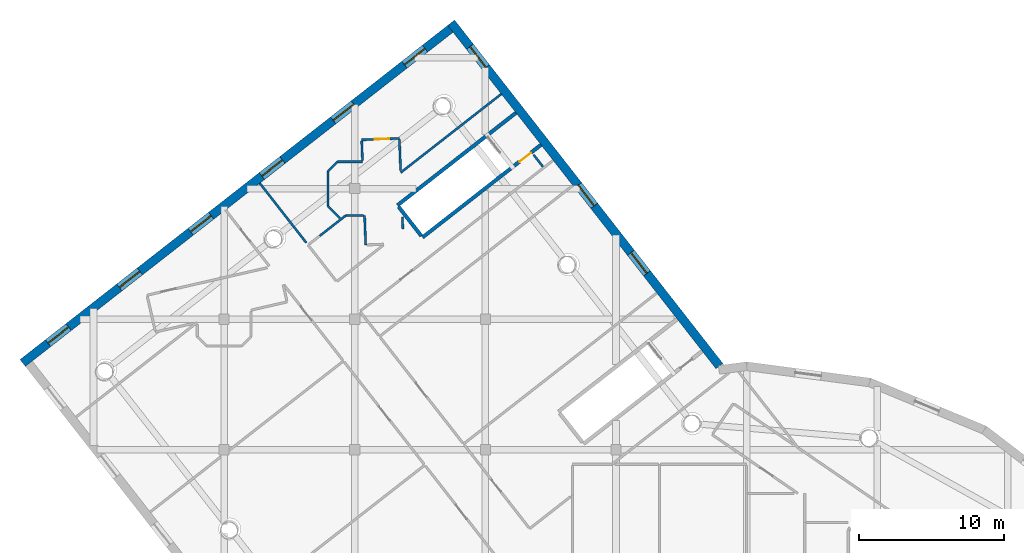
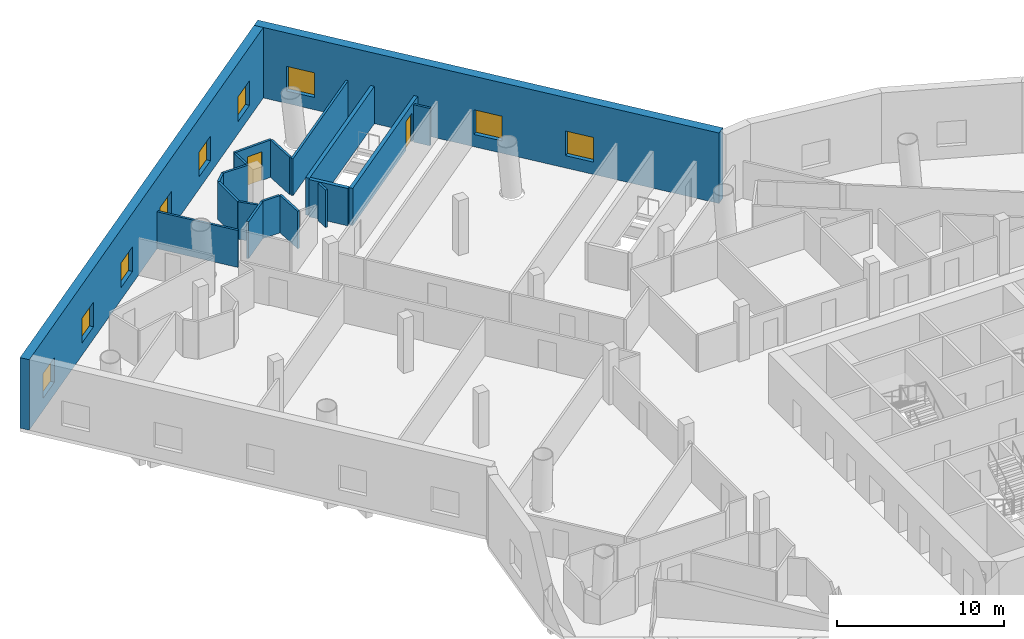
# One storey, part 11 of 15: 19 walls, 9 windows, 2 doors, 11 openings.
"""IFC4 building model written with IfcOpenShell, lengths in metres."""

from ifc_helpers import new_model, si_unit, direction, frame, frame_2d, origin, place, context, subcontext, project, spatial, rectangle, extrude, material, layer, layer_set, type_object, element, fill, save


model = new_model("IFC4")

# Units and contexts
model_context = context("Model", 3, precision=1e-05, world=origin(), true_north=direction((0.0, 1.0)))
body_context = subcontext(model_context, "Body", "Model", "MODEL_VIEW")
ifc_project = project(units=[si_unit("LENGTHUNIT", "METRE"), si_unit("AREAUNIT", "SQUARE_METRE"), si_unit("VOLUMEUNIT", "CUBIC_METRE"), si_unit("PLANEANGLEUNIT", "RADIAN"), si_unit("MASSUNIT", "GRAM", prefix="KILO")], contexts=[model_context])

# Site, building, storey
site_placement = place(None, origin())
site = spatial("IfcSite", under=ifc_project, at=site_placement, CompositionType="ELEMENT")
building_placement = place(site_placement, origin())
building = spatial("IfcBuilding", under=site, at=building_placement, Name="Tarsis Ring Headquarters", CompositionType="ELEMENT")
storey_placement = place(building_placement, frame((0.0, 0.0, 30.0)))
storey = spatial("IfcBuildingStorey", under=building, at=storey_placement, Name="L05", CompositionType="ELEMENT", Elevation=30.0)

# Walls
ifc_material_1 = material(Name="Plasterboard partition")
ifc_layer_1 = layer(ifc_material_1, 0.14990234375)
ifc_layer_set_1 = layer_set([ifc_layer_1], Name="PO-PW150")
wall_type_1 = type_object("IfcWallType", Name="PO-PW150", PredefinedType="PARTITIONING", material=ifc_layer_set_1)
wall_1_placement = place(storey_placement, frame((-23.835205078125, 46.097900390625, 0.0), z_axis=(0.0, 0.0, 1.0), x_axis=(0.788018065695, 0.615652116164, 0.0)))
element("IfcWall", 1, at=wall_1_placement, inside=storey, type_object=wall_type_1, Name="L05 partition wall 38", PredefinedType="PARTITIONING", context=body_context, shape_type="SweptSolid", body=[
    extrude(rectangle(XDim=8.801513671875, YDim=0.14990234375, at=frame_2d((4.40087890625, 0.0))), origin(), (0.0, 0.0, 1.0), 2.699951171875),
])
wall_2_placement = place(storey_placement, frame((-30.337158203125, 41.264404296875, 0.0), z_axis=(0.0, 0.0, 1.0), x_axis=(-0.615634030884, 0.788032194785, 0.0)))
element("IfcWall", 2, at=wall_2_placement, inside=storey, type_object=wall_type_1, Name="L05 partition wall 70", PredefinedType="PARTITIONING", context=body_context, shape_type="SweptSolid", body=[
    extrude(rectangle(XDim=5.205810546875, YDim=0.14990234375, at=frame_2d((2.60302734375, 0.0))), origin(), (0.0, 0.0, 1.0), 2.699951171875),
])
wall_3_placement = place(storey_placement, frame((-27.608154296875, 43.14990234375, 0.0), z_axis=(0.0, 0.0, 1.0), x_axis=(-0.78805175681, -0.615608990017, 0.0)))
element("IfcWall", 3, at=wall_3_placement, inside=storey, type_object=wall_type_1, Name="L05 partition wall 131", PredefinedType="PARTITIONING", context=body_context, shape_type="SweptSolid", body=[
    extrude(rectangle(XDim=2.2978515625, YDim=0.14990234375, at=frame_2d((1.14892578125, 0.0))), origin(), (0.0, 0.0, 1.0), 2.699951171875),
])

# Wall, opening, door
ifc_layer_2 = layer(ifc_material_1, 0.14990234375)
ifc_layer_set_2 = layer_set([ifc_layer_2], Name="PO-PW150R-2733")
wall_type_2 = type_object("IfcWallType", Name="PO-PW150R-2733", PredefinedType="PARTITIONING", material=ifc_layer_set_2)
wall_4_placement = place(storey_placement, frame((-26.523681640625, 48.357177734375, 0.0), z_axis=(0.0, 0.0, 1.0), x_axis=(0.99926588283, 0.03831051308, 0.0)))
wall_4 = element("IfcWall", 4, at=wall_4_placement, inside=storey, type_object=wall_type_2, Name="L05 partition wall 117", PredefinedType="PARTITIONING", context=body_context, shape_type="SweptSolid", body=[
    extrude(rectangle(XDim=2.60009765625, YDim=0.14990234375, at=frame_2d((1.300048828125, 0.0))), origin(), (0.0, 0.0, 1.0), 2.73291015625),
])
opening_1_placement = place(wall_4_placement, frame((0.906005859375, 0.0, 0.0)))
opening_1 = element("IfcOpeningElement", 5, at=opening_1_placement, cuts=wall_4, Name="Opening PO-D1", PredefinedType="OPENING", context=body_context, shape_type="SweptSolid", body=[
    extrude(rectangle(XDim=1.0, YDim=2.10009765625, at=frame_2d((0.5, 1.050048828125))), frame((0.0, 0.0849609375, 0.0), z_axis=(0.0, -1.0, 0.0), x_axis=(1.0, 0.0, 0.0)), (0.0, 0.0, 1.0), 0.169921875),
])
ifc_material_2 = material(Name="Timber door", Category="wood")
door_type_1 = type_object("IfcDoorType", Name="PO-D1000", OperationType="NOTDEFINED", PredefinedType="DOOR", material=ifc_material_2)
door_1_placement = place(opening_1_placement, origin())
door_1 = element("IfcDoor", 6, at=door_1_placement, inside=storey, type_object=door_type_1, Name="Executive assistants' office door", OperationType="SINGLE_SWING_RIGHT", OverallHeight=2.10009765625, OverallWidth=1.0, PredefinedType="DOOR", context=body_context, shape_type="SweptSolid", body=[
    extrude(rectangle(XDim=1.0, YDim=2.10009765625, at=frame_2d((0.5, 1.050048828125))), frame((0.0, 0.02490234375, 0.0), z_axis=(0.0, -1.0, 0.0), x_axis=(1.0, 0.0, 0.0)), (0.0, 0.0, 1.0), 0.050048828125),
])
fill(opening_1, door_1)

# Walls
wall_5_placement = place(storey_placement, frame((-28.85009765625, 43.800048828125, 0.0), z_axis=(0.0, 0.0, 1.0), x_axis=(0.0, 1.0, 0.0)))
element("IfcWall", 7, at=wall_5_placement, inside=storey, type_object=wall_type_2, Name="L05 partition wall 121", PredefinedType="PARTITIONING", context=body_context, shape_type="SweptSolid", body=[
    extrude(rectangle(XDim=2.39990234375, YDim=0.14990234375, at=frame_2d((1.199951171875, 0.0))), origin(), (0.0, 0.0, 1.0), 2.73291015625),
])
wall_6_placement = place(storey_placement, frame((-23.922607421875, 48.376708984375, 0.0), z_axis=(0.0, 0.0, 1.0), x_axis=(0.038389112411, -0.999262866341, 0.0)))
element("IfcWall", 8, at=wall_6_placement, inside=storey, type_object=wall_type_2, Name="L05 partition wall 124", PredefinedType="PARTITIONING", context=body_context, shape_type="SweptSolid", body=[
    extrude(rectangle(XDim=2.13037109375, YDim=0.14990234375, at=frame_2d((1.065185546875, 0.0))), origin(), (0.0, 0.0, 1.0), 2.73291015625),
])
wall_7_placement = place(storey_placement, frame((-26.24609375, 41.11572265625, 0.0), z_axis=(0.0, 0.0, 1.0), x_axis=(-0.038377851134, 0.999263298907, 0.0)))
element("IfcWall", 9, at=wall_7_placement, inside=storey, type_object=wall_type_2, Name="L05 partition wall 138", PredefinedType="PARTITIONING", context=body_context, shape_type="SweptSolid", body=[
    extrude(rectangle(XDim=2.03564453125, YDim=0.14990234375, at=frame_2d((1.017822265625, 0.0))), origin(), (0.0, 0.0, 1.0), 2.73291015625),
])
wall_8_placement = place(storey_placement, frame((-28.199951171875, 46.85009765625, 0.0), z_axis=(0.0, 0.0, 1.0), x_axis=(1.0, 0.0, 0.0)))
element("IfcWall", 10, at=wall_8_placement, inside=storey, type_object=wall_type_2, Name="L05 partition wall 148", PredefinedType="PARTITIONING", context=body_context, shape_type="SweptSolid", body=[
    extrude(rectangle(XDim=1.734130859375, YDim=0.14990234375, at=frame_2d((0.8671875, 0.0))), origin(), (0.0, 0.0, 1.0), 2.73291015625),
])
wall_9_placement = place(storey_placement, frame((-26.468994140625, 46.929931640625, 0.0), z_axis=(0.0, 0.0, 1.0), x_axis=(-0.038210567004, 0.999269709623, 0.0)))
element("IfcWall", 11, at=wall_9_placement, inside=storey, type_object=wall_type_2, Name="L05 partition wall 151", PredefinedType="PARTITIONING", context=body_context, shape_type="SweptSolid", body=[
    extrude(rectangle(XDim=1.34814453125, YDim=0.14990234375, at=frame_2d((0.674072265625, 0.0))), origin(), (0.0, 0.0, 1.0), 2.73291015625),
])
wall_10_placement = place(storey_placement, frame((-28.004150390625, 42.9541015625, 0.0), z_axis=(0.0, 0.0, 1.0), x_axis=(-0.707106781187, 0.707106781187, 0.0)))
element("IfcWall", 12, at=wall_10_placement, inside=storey, type_object=wall_type_2, Name="L05 partition wall 157", PredefinedType="PARTITIONING", context=body_context, shape_type="SweptSolid", body=[
    extrude(rectangle(XDim=1.1962890625, YDim=0.14990234375, at=frame_2d((0.59814453125, 0.0))), origin(), (0.0, 0.0, 1.0), 2.73291015625),
])
wall_11_placement = place(storey_placement, frame((-26.404052734375, 43.14990234375, 0.0), z_axis=(0.0, 0.0, 1.0), x_axis=(-1.0, 0.0, 0.0)))
element("IfcWall", 13, at=wall_11_placement, inside=storey, type_object=wall_type_2, Name="L05 partition wall 158", PredefinedType="PARTITIONING", context=body_context, shape_type="SweptSolid", body=[
    extrude(rectangle(XDim=1.2041015625, YDim=0.14990234375, at=frame_2d((0.60205078125, 0.0))), origin(), (0.0, 0.0, 1.0), 2.73291015625),
])
wall_12_placement = place(storey_placement, frame((-14.677734375, 47.328857421875, 0.0), z_axis=(0.0, 0.0, 1.0), x_axis=(0.615558650251, -0.788091078557, 0.0)))
element("IfcWall", 14, at=wall_12_placement, inside=storey, type_object=wall_type_2, Name="L05 partition wall 167", PredefinedType="PARTITIONING", context=body_context, shape_type="SweptSolid", body=[
    extrude(rectangle(XDim=1.05419921875, YDim=0.14990234375, at=frame_2d((0.527099609375, 0.0))), origin(), (0.0, 0.0, 1.0), 2.73291015625),
])
wall_13_placement = place(storey_placement, frame((-28.85009765625, 46.199951171875, 0.0), z_axis=(0.0, 0.0, 1.0), x_axis=(0.707106781187, 0.707106781187, 0.0)))
element("IfcWall", 15, at=wall_13_placement, inside=storey, type_object=wall_type_2, Name="L05 partition wall 179", PredefinedType="PARTITIONING", context=body_context, shape_type="SweptSolid", body=[
    extrude(rectangle(XDim=0.91943359375, YDim=0.14990234375, at=frame_2d((0.459716796875, 0.0))), origin(), (0.0, 0.0, 1.0), 2.73291015625),
])
wall_14_placement = place(storey_placement, frame((-23.718505859375, 43.0498046875, 0.0), z_axis=(0.0, 0.0, 1.0), x_axis=(0.038543588731, -0.9992569198, 0.0)))
element("IfcWall", 16, at=wall_14_placement, inside=storey, type_object=wall_type_2, Name="L05 partition wall 186", PredefinedType="PARTITIONING", context=body_context, shape_type="SweptSolid", body=[
    extrude(rectangle(XDim=0.848876953125, YDim=0.14990234375, at=frame_2d((0.42431640625, 0.0))), origin(), (0.0, 0.0, 1.0), 2.73291015625),
])

# Wall, opening, door
ifc_material_3 = material(Name="Concrete C40/50", Category="concrete")
ifc_layer_3 = layer(ifc_material_3, 0.25)
ifc_layer_set_3 = layer_set([ifc_layer_3], Name="PO-W250")
wall_type_3 = type_object("IfcWallType", Name="PO-W250", PredefinedType="SOLIDWALL", material=ifc_layer_set_3)
wall_15_placement = place(storey_placement, frame((-14.163818359375, 48.015380859375, 0.0), z_axis=(0.0, 0.0, 1.0), x_axis=(-0.788278990398, -0.61531799364, 0.0)))
wall_15 = element("IfcWall", 17, at=wall_15_placement, inside=storey, type_object=wall_type_3, Name="L05 shaft wall 28", PredefinedType="SOLIDWALL", context=body_context, shape_type="SweptSolid", body=[
    extrude(rectangle(XDim=10.362060546875, YDim=0.25, at=frame_2d((5.18115234375, 0.0))), origin(), (0.0, 0.0, 1.0), 2.72998046875),
])
opening_2_placement = place(wall_15_placement, frame((0.89697265625, 0.0, 0.0)))
opening_2 = element("IfcOpeningElement", 18, at=opening_2_placement, cuts=wall_15, Name="Opening PO-D3", PredefinedType="OPENING", context=body_context, shape_type="SweptSolid", body=[
    extrude(rectangle(XDim=1.0, YDim=2.10009765625, at=frame_2d((0.5, 1.050048828125))), frame((0.0, 0.135009765625, 0.0), z_axis=(0.0, -1.0, 0.0), x_axis=(1.0, 0.0, 0.0)), (0.0, 0.0, 1.0), 0.27001953125),
])
ifc_material_4 = material(Name="Steel fire door", Category="steel")
door_type_2 = type_object("IfcDoorType", Name="PO-D1000F", OperationType="SINGLE_SWING_LEFT", PredefinedType="DOOR", material=ifc_material_4)
door_2_placement = place(opening_2_placement, origin())
door_2 = element("IfcDoor", 19, at=door_2_placement, inside=storey, type_object=door_type_2, Name="Exit stair 4 door", OperationType="SINGLE_SWING_LEFT", OverallHeight=2.10009765625, OverallWidth=1.0, PredefinedType="DOOR", context=body_context, shape_type="SweptSolid", body=[
    extrude(rectangle(XDim=1.0, YDim=2.10009765625, at=frame_2d((0.5, 1.050048828125))), frame((0.0, 0.02490234375, 0.0), z_axis=(0.0, -1.0, 0.0), x_axis=(1.0, 0.0, 0.0)), (0.0, 0.0, 1.0), 0.050048828125),
])
fill(opening_2, door_2)

# Walls
wall_16_placement = place(storey_placement, frame((-24.054931640625, 43.8466796875, 0.0), z_axis=(0.0, 0.0, 1.0), x_axis=(0.788277592166, 0.615319784899, 0.0)))
element("IfcWall", 20, at=wall_16_placement, inside=storey, type_object=wall_type_3, Name="L05 shaft wall 29", PredefinedType="SOLIDWALL", context=body_context, shape_type="SweptSolid", body=[
    extrude(rectangle(XDim=10.36083984375, YDim=0.25, at=frame_2d((5.180419921875, 0.0))), origin(), (0.0, 0.0, 1.0), 2.72998046875),
])
wall_17_placement = place(storey_placement, frame((-22.412109375, 41.741943359375, 0.0), z_axis=(0.0, 0.0, 1.0), x_axis=(-0.615283967859, 0.788305549197, 0.0)))
element("IfcWall", 21, at=wall_17_placement, inside=storey, type_object=wall_type_3, Name="L05 shaft wall 111", PredefinedType="SOLIDWALL", context=body_context, shape_type="SweptSolid", body=[
    extrude(rectangle(XDim=2.539794921875, YDim=0.25, at=frame_2d((1.27001953125, 0.0))), origin(), (0.0, 0.0, 1.0), 2.72998046875),
])

# Wall, openings, windows
ifc_material_5 = material(Name="Concrete C60/75", Category="concrete")
ifc_layer_4 = layer(ifc_material_5, 0.60009765625)
ifc_layer_set_4 = layer_set([ifc_layer_4], Name="PO-W600P")
wall_type_4 = type_object("IfcWallType", Name="PO-W600P", PredefinedType="SOLIDWALL", material=ifc_layer_set_4)
wall_18_placement = place(storey_placement, frame((-1.87353515625, 32.77197265625, 0.0), z_axis=(0.0, 0.0, 1.0), x_axis=(-0.615664714742, 0.788008222687, 0.0)))
wall_18 = element("IfcWall", 22, at=wall_18_placement, inside=storey, type_object=wall_type_4, Name="L05 external wall 23", PredefinedType="SOLIDWALL", context=body_context, shape_type="SweptSolid", body=[
    extrude(rectangle(XDim=30.02197265625, YDim=0.60009765625, at=frame_2d((15.010986328125, 0.0))), origin(), (0.0, 0.0, 1.0), 5.14990234375),
])
opening_3_placement = place(wall_18_placement, frame((8.106689453125, 0.0, 0.89990234375)))
opening_3 = element("IfcOpeningElement", 23, at=opening_3_placement, cuts=wall_18, Name="Opening PO-WN147", PredefinedType="OPENING", context=body_context, shape_type="SweptSolid", body=[
    extrude(rectangle(XDim=1.800048828125, YDim=1.802978515625, at=frame_2d((0.89990234375, 0.9013671875))), frame((0.0, 0.31005859375, 0.0), z_axis=(0.0, -1.0, 0.0), x_axis=(1.0, 0.0, 0.0)), (0.0, 0.0, 1.0), 0.6201171875),
])
opening_4_placement = place(wall_18_placement, frame((14.010986328125, 0.0, 0.89990234375)))
opening_4 = element("IfcOpeningElement", 24, at=opening_4_placement, cuts=wall_18, Name="Opening PO-WN147", PredefinedType="OPENING", context=body_context, shape_type="SweptSolid", body=[
    extrude(rectangle(XDim=1.800048828125, YDim=1.802978515625, at=frame_2d((0.89990234375, 0.9013671875))), frame((0.0, 0.31005859375, 0.0), z_axis=(0.0, -1.0, 0.0), x_axis=(1.0, 0.0, 0.0)), (0.0, 0.0, 1.0), 0.6201171875),
])
opening_5_placement = place(wall_18_placement, frame((26.11962890625, 0.0, 0.89990234375)))
opening_5 = element("IfcOpeningElement", 25, at=opening_5_placement, cuts=wall_18, Name="Opening PO-WN147", PredefinedType="OPENING", context=body_context, shape_type="SweptSolid", body=[
    extrude(rectangle(XDim=1.800048828125, YDim=1.802978515625, at=frame_2d((0.89990234375, 0.9013671875))), frame((0.0, 0.31005859375, 0.0), z_axis=(0.0, -1.0, 0.0), x_axis=(1.0, 0.0, 0.0)), (0.0, 0.0, 1.0), 0.6201171875),
])
ifc_material_6 = material(Name="Double glazing", Category="glass")
window_type = type_object("IfcWindowType", Name="PO-WN1800-1803", PartitioningType="SINGLE_PANEL", PredefinedType="WINDOW", material=ifc_material_6)
window_1_placement = place(opening_3_placement, origin())
window_1 = element("IfcWindow", 26, at=window_1_placement, inside=storey, type_object=window_type, Name="L05 window 23.1", OverallHeight=1.802978515625, OverallWidth=1.800048828125, PartitioningType="SINGLE_PANEL", PredefinedType="WINDOW", context=body_context, shape_type="SweptSolid", body=[
    extrude(rectangle(XDim=1.800048828125, YDim=1.802978515625, at=frame_2d((0.89990234375, 0.9013671875))), frame((0.0, 0.030029296875, 0.0), z_axis=(0.0, -1.0, 0.0), x_axis=(1.0, 0.0, 0.0)), (0.0, 0.0, 1.0), 0.06005859375),
])
fill(opening_3, window_1)
window_2_placement = place(opening_4_placement, origin())
window_2 = element("IfcWindow", 27, at=window_2_placement, inside=storey, type_object=window_type, Name="L05 window 23.2", OverallHeight=1.802978515625, OverallWidth=1.800048828125, PartitioningType="SINGLE_PANEL", PredefinedType="WINDOW", context=body_context, shape_type="SweptSolid", body=[
    extrude(rectangle(XDim=1.800048828125, YDim=1.802978515625, at=frame_2d((0.89990234375, 0.9013671875))), frame((0.0, 0.030029296875, 0.0), z_axis=(0.0, -1.0, 0.0), x_axis=(1.0, 0.0, 0.0)), (0.0, 0.0, 1.0), 0.06005859375),
])
fill(opening_4, window_2)
window_3_placement = place(opening_5_placement, origin())
window_3 = element("IfcWindow", 28, at=window_3_placement, inside=storey, type_object=window_type, Name="L05 window 23.3", OverallHeight=1.802978515625, OverallWidth=1.800048828125, PartitioningType="SINGLE_PANEL", PredefinedType="WINDOW", context=body_context, shape_type="SweptSolid", body=[
    extrude(rectangle(XDim=1.800048828125, YDim=1.802978515625, at=frame_2d((0.89990234375, 0.9013671875))), frame((0.0, 0.030029296875, 0.0), z_axis=(0.0, -1.0, 0.0), x_axis=(1.0, 0.0, 0.0)), (0.0, 0.0, 1.0), 0.06005859375),
])
fill(opening_5, window_3)

wall_19_placement = place(storey_placement, frame((-20.40869140625, 56.00830078125, 0.0), z_axis=(0.0, 0.0, 1.0), x_axis=(-0.788010419186, -0.615661903365, 0.0)))
wall_19 = element("IfcWall", 29, at=wall_19_placement, inside=storey, type_object=wall_type_4, Name="L05 external wall 24", PredefinedType="SOLIDWALL", context=body_context, shape_type="SweptSolid", body=[
    extrude(rectangle(XDim=37.39990234375, YDim=0.60009765625, at=frame_2d((18.699951171875, 0.0))), origin(), (0.0, 0.0, 1.0), 5.14990234375),
])
opening_6_placement = place(wall_19_placement, frame((2.216552734375, 0.0, 0.89990234375)))
opening_6 = element("IfcOpeningElement", 30, at=opening_6_placement, cuts=wall_19, Name="Opening PO-WN147", PredefinedType="OPENING", context=body_context, shape_type="SweptSolid", body=[
    extrude(rectangle(XDim=1.800048828125, YDim=1.802978515625, at=frame_2d((0.89990234375, 0.9013671875))), frame((0.0, 0.31005859375, 0.0), z_axis=(0.0, -1.0, 0.0), x_axis=(1.0, 0.0, 0.0)), (0.0, 0.0, 1.0), 0.6201171875),
])
opening_7_placement = place(wall_19_placement, frame((8.449951171875, 0.0, 0.89990234375)))
opening_7 = element("IfcOpeningElement", 31, at=opening_7_placement, cuts=wall_19, Name="Opening PO-WN147", PredefinedType="OPENING", context=body_context, shape_type="SweptSolid", body=[
    extrude(rectangle(XDim=1.800048828125, YDim=1.802978515625, at=frame_2d((0.89990234375, 0.9013671875))), frame((0.0, 0.31005859375, 0.0), z_axis=(0.0, -1.0, 0.0), x_axis=(1.0, 0.0, 0.0)), (0.0, 0.0, 1.0), 0.6201171875),
])
opening_8_placement = place(wall_19_placement, frame((14.683349609375, 0.0, 0.89990234375)))
opening_8 = element("IfcOpeningElement", 32, at=opening_8_placement, cuts=wall_19, Name="Opening PO-WN147", PredefinedType="OPENING", context=body_context, shape_type="SweptSolid", body=[
    extrude(rectangle(XDim=1.800048828125, YDim=1.802978515625, at=frame_2d((0.89990234375, 0.9013671875))), frame((0.0, 0.31005859375, 0.0), z_axis=(0.0, -1.0, 0.0), x_axis=(1.0, 0.0, 0.0)), (0.0, 0.0, 1.0), 0.6201171875),
])
opening_9_placement = place(wall_19_placement, frame((20.916748046875, 0.0, 0.89990234375)))
opening_9 = element("IfcOpeningElement", 33, at=opening_9_placement, cuts=wall_19, Name="Opening PO-WN147", PredefinedType="OPENING", context=body_context, shape_type="SweptSolid", body=[
    extrude(rectangle(XDim=1.800048828125, YDim=1.802978515625, at=frame_2d((0.89990234375, 0.9013671875))), frame((0.0, 0.31005859375, 0.0), z_axis=(0.0, -1.0, 0.0), x_axis=(1.0, 0.0, 0.0)), (0.0, 0.0, 1.0), 0.6201171875),
])
opening_10_placement = place(wall_19_placement, frame((27.14990234375, 0.0, 0.89990234375)))
opening_10 = element("IfcOpeningElement", 34, at=opening_10_placement, cuts=wall_19, Name="Opening PO-WN147", PredefinedType="OPENING", context=body_context, shape_type="SweptSolid", body=[
    extrude(rectangle(XDim=1.800048828125, YDim=1.802978515625, at=frame_2d((0.89990234375, 0.9013671875))), frame((0.0, 0.31005859375, 0.0), z_axis=(0.0, -1.0, 0.0), x_axis=(1.0, 0.0, 0.0)), (0.0, 0.0, 1.0), 0.6201171875),
])
opening_11_placement = place(wall_19_placement, frame((33.38330078125, 0.0, 0.89990234375)))
opening_11 = element("IfcOpeningElement", 35, at=opening_11_placement, cuts=wall_19, Name="Opening PO-WN147", PredefinedType="OPENING", context=body_context, shape_type="SweptSolid", body=[
    extrude(rectangle(XDim=1.800048828125, YDim=1.802978515625, at=frame_2d((0.89990234375, 0.9013671875))), frame((0.0, 0.31005859375, 0.0), z_axis=(0.0, -1.0, 0.0), x_axis=(1.0, 0.0, 0.0)), (0.0, 0.0, 1.0), 0.6201171875),
])
window_4_placement = place(opening_6_placement, origin())
window_4 = element("IfcWindow", 36, at=window_4_placement, inside=storey, type_object=window_type, Name="L05 window 24.1", OverallHeight=1.802978515625, OverallWidth=1.800048828125, PartitioningType="SINGLE_PANEL", PredefinedType="WINDOW", context=body_context, shape_type="SweptSolid", body=[
    extrude(rectangle(XDim=1.800048828125, YDim=1.802978515625, at=frame_2d((0.89990234375, 0.9013671875))), frame((0.0, 0.030029296875, 0.0), z_axis=(0.0, -1.0, 0.0), x_axis=(1.0, 0.0, 0.0)), (0.0, 0.0, 1.0), 0.06005859375),
])
fill(opening_6, window_4)
window_5_placement = place(opening_7_placement, origin())
window_5 = element("IfcWindow", 37, at=window_5_placement, inside=storey, type_object=window_type, Name="L05 window 24.2", OverallHeight=1.802978515625, OverallWidth=1.800048828125, PartitioningType="SINGLE_PANEL", PredefinedType="WINDOW", context=body_context, shape_type="SweptSolid", body=[
    extrude(rectangle(XDim=1.800048828125, YDim=1.802978515625, at=frame_2d((0.89990234375, 0.9013671875))), frame((0.0, 0.030029296875, 0.0), z_axis=(0.0, -1.0, 0.0), x_axis=(1.0, 0.0, 0.0)), (0.0, 0.0, 1.0), 0.06005859375),
])
fill(opening_7, window_5)
window_6_placement = place(opening_8_placement, origin())
window_6 = element("IfcWindow", 38, at=window_6_placement, inside=storey, type_object=window_type, Name="L05 window 24.3", OverallHeight=1.802978515625, OverallWidth=1.800048828125, PartitioningType="SINGLE_PANEL", PredefinedType="WINDOW", context=body_context, shape_type="SweptSolid", body=[
    extrude(rectangle(XDim=1.800048828125, YDim=1.802978515625, at=frame_2d((0.89990234375, 0.9013671875))), frame((0.0, 0.030029296875, 0.0), z_axis=(0.0, -1.0, 0.0), x_axis=(1.0, 0.0, 0.0)), (0.0, 0.0, 1.0), 0.06005859375),
])
fill(opening_8, window_6)
window_7_placement = place(opening_9_placement, origin())
window_7 = element("IfcWindow", 39, at=window_7_placement, inside=storey, type_object=window_type, Name="L05 window 24.4", OverallHeight=1.802978515625, OverallWidth=1.800048828125, PartitioningType="SINGLE_PANEL", PredefinedType="WINDOW", context=body_context, shape_type="SweptSolid", body=[
    extrude(rectangle(XDim=1.800048828125, YDim=1.802978515625, at=frame_2d((0.89990234375, 0.9013671875))), frame((0.0, 0.030029296875, 0.0), z_axis=(0.0, -1.0, 0.0), x_axis=(1.0, 0.0, 0.0)), (0.0, 0.0, 1.0), 0.06005859375),
])
fill(opening_9, window_7)
window_8_placement = place(opening_10_placement, origin())
window_8 = element("IfcWindow", 40, at=window_8_placement, inside=storey, type_object=window_type, Name="L05 window 24.5", OverallHeight=1.802978515625, OverallWidth=1.800048828125, PartitioningType="SINGLE_PANEL", PredefinedType="WINDOW", context=body_context, shape_type="SweptSolid", body=[
    extrude(rectangle(XDim=1.800048828125, YDim=1.802978515625, at=frame_2d((0.89990234375, 0.9013671875))), frame((0.0, 0.030029296875, 0.0), z_axis=(0.0, -1.0, 0.0), x_axis=(1.0, 0.0, 0.0)), (0.0, 0.0, 1.0), 0.06005859375),
])
fill(opening_10, window_8)
window_9_placement = place(opening_11_placement, origin())
window_9 = element("IfcWindow", 41, at=window_9_placement, inside=storey, type_object=window_type, Name="L05 window 24.6", OverallHeight=1.802978515625, OverallWidth=1.800048828125, PartitioningType="SINGLE_PANEL", PredefinedType="WINDOW", context=body_context, shape_type="SweptSolid", body=[
    extrude(rectangle(XDim=1.800048828125, YDim=1.802978515625, at=frame_2d((0.89990234375, 0.9013671875))), frame((0.0, 0.030029296875, 0.0), z_axis=(0.0, -1.0, 0.0), x_axis=(1.0, 0.0, 0.0)), (0.0, 0.0, 1.0), 0.06005859375),
])
fill(opening_11, window_9)

save(model, "model.ifc")
